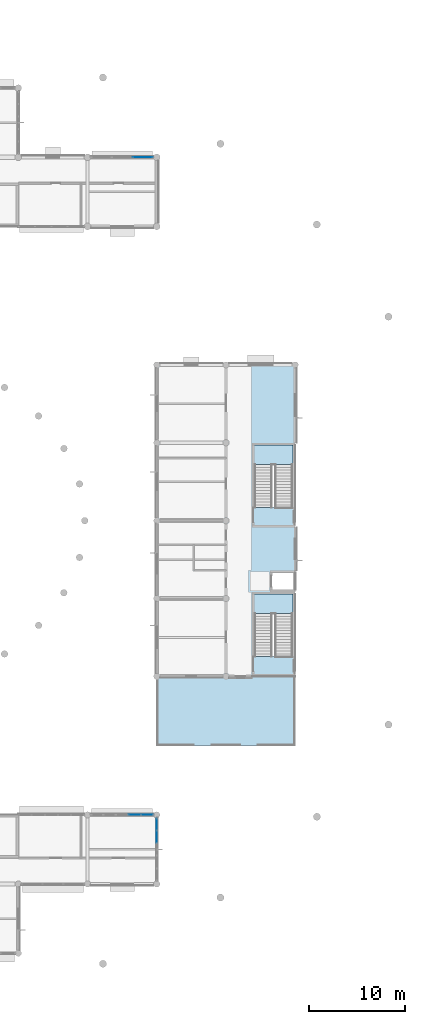
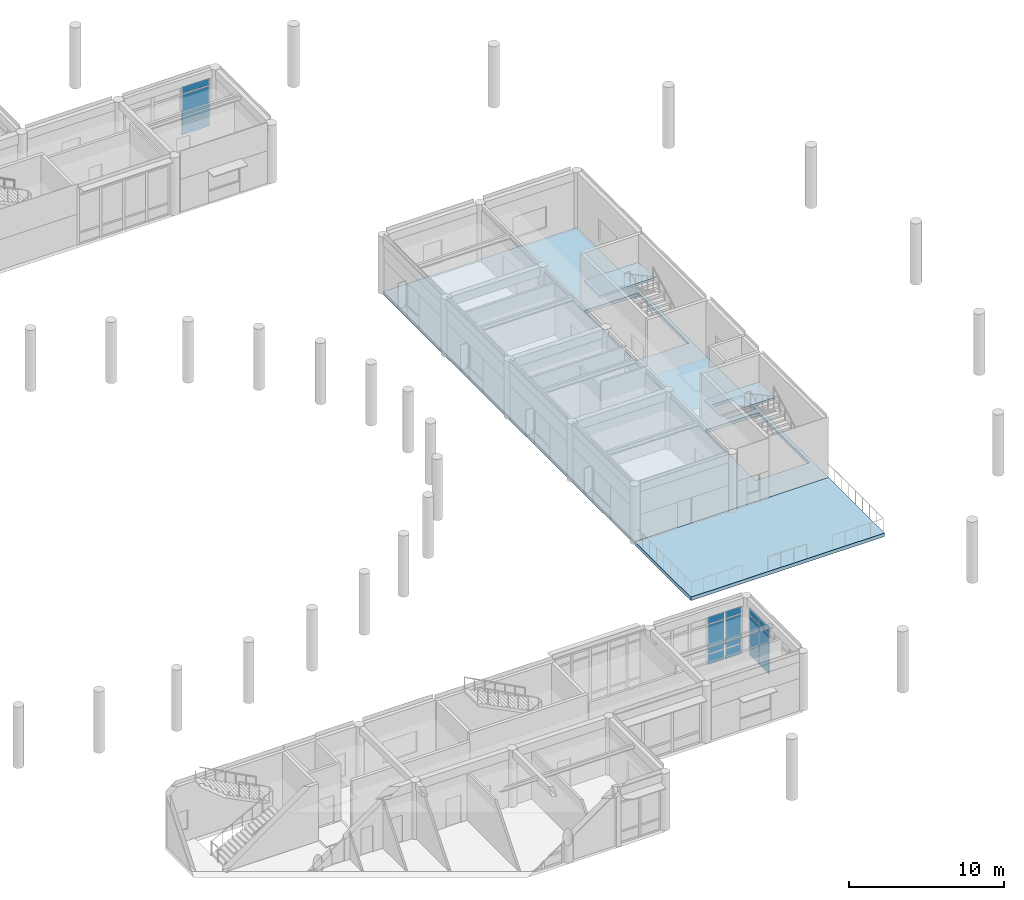
# One storey, part 44 of 92: 15 plates, 4 slabs, 5 elements without a shape of their own.
"""IFC4 building model written with IfcOpenShell, lengths in metres."""

from ifc_helpers import new_model, si_unit, direction, frame, origin, origin_2d, place, context, subcontext, project, spatial, polyline, rectangle, outline, extrude, material, layer, layer_set, type_object, element, aggregate, save


model = new_model("IFC4")

# Units and contexts
model_context = context("Model", 3, precision=1e-05, world=origin(), true_north=direction((0.0, 1.0)))
body_context = subcontext(model_context, "Body", "Model", "MODEL_VIEW")
ifc_project = project(units=[si_unit("LENGTHUNIT", "METRE"), si_unit("AREAUNIT", "SQUARE_METRE"), si_unit("VOLUMEUNIT", "CUBIC_METRE"), si_unit("PLANEANGLEUNIT", "RADIAN"), si_unit("MASSUNIT", "GRAM", prefix="KILO")], contexts=[model_context])

# Site, building, storey
site_placement = place(None, origin())
site = spatial("IfcSite", under=ifc_project, at=site_placement, CompositionType="ELEMENT")
building_placement = place(site_placement, origin())
building = spatial("IfcBuilding", under=site, at=building_placement, Name="Namkhue Oval Health Centre", CompositionType="ELEMENT")
storey_placement = place(building_placement, frame((0.0, 0.0, 4.800048828125)))
storey = spatial("IfcBuildingStorey", under=building, at=storey_placement, Name="L01", CompositionType="ELEMENT", Elevation=4.800048828125)

# Curtain wall, plates
ifc_material_1 = material(Name="Anodised aluminium EN AW-6063 T6", Category="aluminium")
ifc_layer_1 = layer(ifc_material_1, 0.159912109375)
ifc_layer_set_1 = layer_set([ifc_layer_1], Name="Anodised aluminium EN AW-6063 T6")
curtain_wall_type_1 = type_object("IfcCurtainWallType", Name="UNITISED CURTAIN WALL M1200", PredefinedType="NOTDEFINED", material=ifc_layer_set_1)
curtain_wall_1_placement = place(storey_placement, origin())
curtain_wall_1 = element("IfcCurtainWall", 1, at=curtain_wall_1_placement, inside=storey, type_object=curtain_wall_type_1, Name="Volume V5 L01 Unitised Curtain Wall 193", PredefinedType="NOTDEFINED")
ifc_material_2 = material(Name="Thermally broken low-E laminated double glazing", Category="glass")
ifc_layer_2 = layer(ifc_material_2, 0.02587890625)
ifc_layer_set_2 = layer_set([ifc_layer_2], Name="Thermally broken low-E laminated double glazing")
plate_type_1 = type_object("IfcPlateType", Name="CURTAIN WALL GLAZED PANEL 26", PredefinedType="CURTAIN_PANEL", material=ifc_layer_set_2)
plate_1_placement = place(storey_placement, frame((136.800048828125, 26.506103515625, 0.06494140625), z_axis=(0.0, 0.0, 1.0), x_axis=(0.0, 1.0, 0.0)))
plate_1 = element("IfcPlate", 2, at=plate_1_placement, type_object=plate_type_1, Name="CW-01 panel 4.1", PredefinedType="CURTAIN_PANEL", context=body_context, shape_type="SweptSolid", body=[
    extrude(rectangle(XDim=1.240966796875, YDim=0.02587890625, at=origin_2d()), origin(), (0.0, 0.0, 1.0), 0.802490234375),
])
plate_2_placement = place(storey_placement, frame((136.800048828125, 26.506103515625, 0.932373046875), z_axis=(0.0, 0.0, 1.0), x_axis=(0.0, 1.0, 0.0)))
plate_2 = element("IfcPlate", 3, at=plate_2_placement, type_object=plate_type_1, Name="CW-01 panel 4.2", PredefinedType="CURTAIN_PANEL", context=body_context, shape_type="SweptSolid", body=[
    extrude(rectangle(XDim=1.240966796875, YDim=0.02587890625, at=origin_2d()), origin(), (0.0, 0.0, 1.0), 2.27294921875),
])
plate_3_placement = place(storey_placement, frame((136.800048828125, 26.506103515625, 3.2705078125), z_axis=(0.0, 0.0, 1.0), x_axis=(0.0, 1.0, 0.0)))
plate_3 = element("IfcPlate", 4, at=plate_3_placement, type_object=plate_type_1, Name="CW-01 panel 4.3", PredefinedType="CURTAIN_PANEL", context=body_context, shape_type="SweptSolid", body=[
    extrude(rectangle(XDim=1.240966796875, YDim=0.02587890625, at=origin_2d()), origin(), (0.0, 0.0, 1.0), 0.552490234375),
])
plate_4_placement = place(storey_placement, frame((136.800048828125, 27.795654296875, 0.06494140625), z_axis=(0.0, 0.0, 1.0), x_axis=(0.0, 1.0, 0.0)))
plate_4 = element("IfcPlate", 5, at=plate_4_placement, type_object=plate_type_1, Name="CW-01 panel 5.1", PredefinedType="CURTAIN_PANEL", context=body_context, shape_type="SweptSolid", body=[
    extrude(rectangle(XDim=1.20849609375, YDim=0.02587890625, at=origin_2d()), origin(), (0.0, 0.0, 1.0), 0.802490234375),
])
plate_5_placement = place(storey_placement, frame((136.800048828125, 27.795654296875, 0.932373046875), z_axis=(0.0, 0.0, 1.0), x_axis=(0.0, 1.0, 0.0)))
plate_5 = element("IfcPlate", 6, at=plate_5_placement, type_object=plate_type_1, Name="CW-01 panel 5.2", PredefinedType="CURTAIN_PANEL", context=body_context, shape_type="SweptSolid", body=[
    extrude(rectangle(XDim=1.20849609375, YDim=0.02587890625, at=origin_2d()), origin(), (0.0, 0.0, 1.0), 2.27294921875),
])
plate_6_placement = place(storey_placement, frame((136.800048828125, 27.795654296875, 3.2705078125), z_axis=(0.0, 0.0, 1.0), x_axis=(0.0, 1.0, 0.0)))
plate_6 = element("IfcPlate", 7, at=plate_6_placement, type_object=plate_type_1, Name="CW-01 panel 5.3", PredefinedType="CURTAIN_PANEL", context=body_context, shape_type="SweptSolid", body=[
    extrude(rectangle(XDim=1.20849609375, YDim=0.02587890625, at=origin_2d()), origin(), (0.0, 0.0, 1.0), 0.552490234375),
])
aggregate(curtain_wall_1, [plate_1, plate_2, plate_3, plate_4, plate_5, plate_6])

ifc_layer_3 = layer(ifc_material_1, 0.159912109375)
ifc_layer_set_3 = layer_set([ifc_layer_3], Name="Anodised aluminium EN AW-6063 T6")
curtain_wall_type_2 = type_object("IfcCurtainWallType", Name="UNITISED CURTAIN WALL M2000", PredefinedType="NOTDEFINED", material=ifc_layer_set_3)
curtain_wall_2_placement = place(storey_placement, origin())
curtain_wall_2 = element("IfcCurtainWall", 8, at=curtain_wall_2_placement, inside=storey, type_object=curtain_wall_type_2, Name="Volume V3 L01 Unitised Curtain Wall 102", PredefinedType="NOTDEFINED")
ifc_layer_4 = layer(ifc_material_2, 0.028076171875)
ifc_layer_set_4 = layer_set([ifc_layer_4], Name="Thermally broken low-E laminated double glazing")
plate_type_2 = type_object("IfcPlateType", Name="CURTAIN WALL GLAZED PANEL 28", PredefinedType="CURTAIN_PANEL", material=ifc_layer_set_4)
plate_7_placement = place(storey_placement, frame((135.34130859375, 97.199951171875, 0.074951171875), z_axis=(0.0, 0.0, 1.0), x_axis=(-1.0, 0.0, 0.0)))
plate_7 = element("IfcPlate", 9, at=plate_7_placement, type_object=plate_type_2, Name="CW-06 panel 1.1", PredefinedType="CURTAIN_PANEL", context=body_context, shape_type="SweptSolid", body=[
    extrude(rectangle(XDim=2.047607421875, YDim=0.028076171875, at=origin_2d()), origin(), (0.0, 0.0, 1.0), 0.78759765625),
])
plate_8_placement = place(storey_placement, frame((135.34130859375, 97.199951171875, 0.9375), z_axis=(0.0, 0.0, 1.0), x_axis=(-1.0, 0.0, 0.0)))
plate_8 = element("IfcPlate", 10, at=plate_8_placement, type_object=plate_type_2, Name="CW-06 panel 1.2", PredefinedType="CURTAIN_PANEL", context=body_context, shape_type="SweptSolid", body=[
    extrude(rectangle(XDim=2.047607421875, YDim=0.028076171875, at=origin_2d()), origin(), (0.0, 0.0, 1.0), 2.287109375),
])
plate_9_placement = place(storey_placement, frame((135.34130859375, 97.199951171875, 3.29931640625), z_axis=(0.0, 0.0, 1.0), x_axis=(-1.0, 0.0, 0.0)))
plate_9 = element("IfcPlate", 11, at=plate_9_placement, type_object=plate_type_2, Name="CW-06 panel 1.3", PredefinedType="CURTAIN_PANEL", context=body_context, shape_type="SweptSolid", body=[
    extrude(rectangle(XDim=2.047607421875, YDim=0.028076171875, at=origin_2d()), origin(), (0.0, 0.0, 1.0), 0.53759765625),
])
aggregate(curtain_wall_2, [plate_7, plate_8, plate_9])

ifc_layer_5 = layer(ifc_material_1, 0.159912109375)
ifc_layer_set_5 = layer_set([ifc_layer_5], Name="Anodised aluminium EN AW-6063 T6")
curtain_wall_type_3 = type_object("IfcCurtainWallType", Name="UNITISED CURTAIN WALL M1350", PredefinedType="NOTDEFINED", material=ifc_layer_set_5)
curtain_wall_3_placement = place(storey_placement, origin())
curtain_wall_3 = element("IfcCurtainWall", 12, at=curtain_wall_3_placement, inside=storey, type_object=curtain_wall_type_3, Name="Volume V5 L01 Unitised Curtain Wall 194", PredefinedType="NOTDEFINED")
plate_10_placement = place(storey_placement, frame((135.793212890625, 28.800048828125, 0.074951171875), z_axis=(0.0, 0.0, 1.0), x_axis=(-1.0, 0.0, 0.0)))
plate_10 = element("IfcPlate", 13, at=plate_10_placement, type_object=plate_type_2, Name="CW-02 panel 1.1", PredefinedType="CURTAIN_PANEL", context=body_context, shape_type="SweptSolid", body=[
    extrude(rectangle(XDim=1.193603515625, YDim=0.028076171875, at=origin_2d()), origin(), (0.0, 0.0, 1.0), 0.78759765625),
])
plate_11_placement = place(storey_placement, frame((135.793212890625, 28.800048828125, 0.9375), z_axis=(0.0, 0.0, 1.0), x_axis=(-1.0, 0.0, 0.0)))
plate_11 = element("IfcPlate", 14, at=plate_11_placement, type_object=plate_type_2, Name="CW-02 panel 1.2", PredefinedType="CURTAIN_PANEL", context=body_context, shape_type="SweptSolid", body=[
    extrude(rectangle(XDim=1.193603515625, YDim=0.028076171875, at=origin_2d()), origin(), (0.0, 0.0, 1.0), 2.262939453125),
])
plate_12_placement = place(storey_placement, frame((135.793212890625, 28.800048828125, 3.275390625), z_axis=(0.0, 0.0, 1.0), x_axis=(-1.0, 0.0, 0.0)))
plate_12 = element("IfcPlate", 15, at=plate_12_placement, type_object=plate_type_2, Name="CW-02 panel 1.3", PredefinedType="CURTAIN_PANEL", context=body_context, shape_type="SweptSolid", body=[
    extrude(rectangle(XDim=1.193603515625, YDim=0.028076171875, at=origin_2d()), origin(), (0.0, 0.0, 1.0), 0.53759765625),
])
plate_13_placement = place(storey_placement, frame((134.506103515625, 28.800048828125, 0.074951171875), z_axis=(0.0, 0.0, 1.0), x_axis=(-1.0, 0.0, 0.0)))
plate_13 = element("IfcPlate", 16, at=plate_13_placement, type_object=plate_type_2, Name="CW-02 panel 2.1", PredefinedType="CURTAIN_PANEL", context=body_context, shape_type="SweptSolid", body=[
    extrude(rectangle(XDim=1.23095703125, YDim=0.028076171875, at=origin_2d()), origin(), (0.0, 0.0, 1.0), 0.78759765625),
])
plate_14_placement = place(storey_placement, frame((134.506103515625, 28.800048828125, 0.9375), z_axis=(0.0, 0.0, 1.0), x_axis=(-1.0, 0.0, 0.0)))
plate_14 = element("IfcPlate", 17, at=plate_14_placement, type_object=plate_type_2, Name="CW-02 panel 2.2", PredefinedType="CURTAIN_PANEL", context=body_context, shape_type="SweptSolid", body=[
    extrude(rectangle(XDim=1.23095703125, YDim=0.028076171875, at=origin_2d()), origin(), (0.0, 0.0, 1.0), 2.262939453125),
])
plate_15_placement = place(storey_placement, frame((134.506103515625, 28.800048828125, 3.275390625), z_axis=(0.0, 0.0, 1.0), x_axis=(-1.0, 0.0, 0.0)))
plate_15 = element("IfcPlate", 18, at=plate_15_placement, type_object=plate_type_2, Name="CW-02 panel 2.3", PredefinedType="CURTAIN_PANEL", context=body_context, shape_type="SweptSolid", body=[
    extrude(rectangle(XDim=1.23095703125, YDim=0.028076171875, at=origin_2d()), origin(), (0.0, 0.0, 1.0), 0.53759765625),
])
aggregate(curtain_wall_3, [plate_10, plate_11, plate_12, plate_13, plate_14, plate_15])

# Slab
ifc_material_3 = material(Name="Reinforced concrete C30/37 (TCVN B35)", Category="concrete")
ifc_layer_6 = layer(ifc_material_3, 0.278076171875)
ifc_layer_set_6 = layer_set([ifc_layer_6], Name="Reinforced concrete C30/37 (TCVN B35)")
slab_type_1 = type_object("IfcSlabType", Name="EXTERIOR TERRACE SLAB 278", PredefinedType="FLOOR", material=ifc_layer_set_6)
slab_1_placement = place(storey_placement, frame((0.0, 0.0, -0.278076171875)))
element("IfcSlab", 19, at=slab_1_placement, inside=storey, type_object=slab_type_1, Name="Volume V6 L01 Exterior Roof Terrace Slab", PredefinedType="FLOOR", context=body_context, shape_type="SweptSolid", body=[
    extrude(outline(polyline([(136.800048828125, 36.0), (151.199951171875, 36.0), (151.199951171875, 43.199951171875), (136.800048828125, 43.199951171875), (136.800048828125, 36.0)])), origin(), (0.0, 0.0, 1.0), 0.278076171875),
])

# Stair, slab
stair_type = type_object("IfcStairType", Name="DOGLEG EXIT STAIR H4800", PredefinedType="HALF_TURN_STAIR", material=ifc_material_3)
stair_1_placement = place(storey_placement, origin())
stair_1 = element("IfcStair", 20, at=stair_1_placement, inside=storey, type_object=stair_type, Name="Protected Exit Stair ST-11 L01", PredefinedType="HALF_TURN_STAIR")
ifc_layer_7 = layer(ifc_material_3, 0.179931640625)
ifc_layer_set_7 = layer_set([ifc_layer_7], Name="Reinforced concrete C30/37 (TCVN B35)")
slab_type_2 = type_object("IfcSlabType", Name="STAIR LANDING SLAB 180", PredefinedType="LANDING", material=ifc_layer_set_7)
slab_2_placement = place(storey_placement, frame((0.0, 0.0, 2.219970703125)))
slab_2 = element("IfcSlab", 21, at=slab_2_placement, type_object=slab_type_2, Name="ST-11 landing 1", PredefinedType="LANDING", context=body_context, shape_type="SweptSolid", body=[
    extrude(outline(polyline([(146.925048828125, 49.7451171875), (150.97509765625, 49.7451171875), (150.97509765625, 51.77490234375), (146.925048828125, 51.77490234375), (146.925048828125, 49.7451171875)])), origin(), (0.0, 0.0, 1.0), 0.179931640625),
])
aggregate(stair_1, [slab_2])

stair_2_placement = place(storey_placement, origin())
stair_2 = element("IfcStair", 22, at=stair_2_placement, inside=storey, type_object=stair_type, Name="Protected Exit Stair ST-12 L01", PredefinedType="HALF_TURN_STAIR")
slab_3_placement = place(storey_placement, frame((0.0, 0.0, 2.219970703125)))
slab_3 = element("IfcSlab", 23, at=slab_3_placement, type_object=slab_type_2, Name="ST-12 landing 1", PredefinedType="LANDING", context=body_context, shape_type="SweptSolid", body=[
    extrude(outline(polyline([(146.925048828125, 65.2451171875), (150.97509765625, 65.2451171875), (150.97509765625, 67.27490234375), (146.925048828125, 67.27490234375), (146.925048828125, 65.2451171875)])), origin(), (0.0, 0.0, 1.0), 0.179931640625),
])
aggregate(stair_2, [slab_3])

# Slab
ifc_layer_8 = layer(ifc_material_3, 0.235107421875)
ifc_layer_set_8 = layer_set([ifc_layer_8], Name="Reinforced concrete C30/37 (TCVN B35)")
slab_type_3 = type_object("IfcSlabType", Name="SUSPENDED FLOOR SLAB 235", PredefinedType="FLOOR", material=ifc_layer_set_8)
slab_4_placement = place(storey_placement, frame((0.0, 0.0, -0.235107421875)))
element("IfcSlab", 24, at=slab_4_placement, inside=storey, type_object=slab_type_3, Name="Volume V6 L01 Suspended Floor Slab", PredefinedType="FLOOR", context=body_context, shape_type="SweptSolid", body=[
    extrude(outline(polyline([(136.800048828125, 43.199951171875), (151.199951171875, 43.199951171875), (151.199951171875, 75.60009765625), (136.800048828125, 75.60009765625), (136.800048828125, 43.199951171875)]), holes=[polyline([(146.949951171875, 45.2548828125), (150.949951171875, 45.2548828125), (150.949951171875, 51.75), (146.949951171875, 51.75), (146.949951171875, 45.2548828125)]), polyline([(146.949951171875, 60.7548828125), (150.949951171875, 60.7548828125), (150.949951171875, 67.25), (146.949951171875, 67.25), (146.949951171875, 60.7548828125)]), polyline([(148.800048828125, 52.199951171875), (151.0, 52.199951171875), (151.0, 54.0), (148.800048828125, 54.0), (148.800048828125, 52.199951171875)])]), origin(), (0.0, 0.0, 1.0), 0.235107421875),
])

save(model, "model.ifc")
